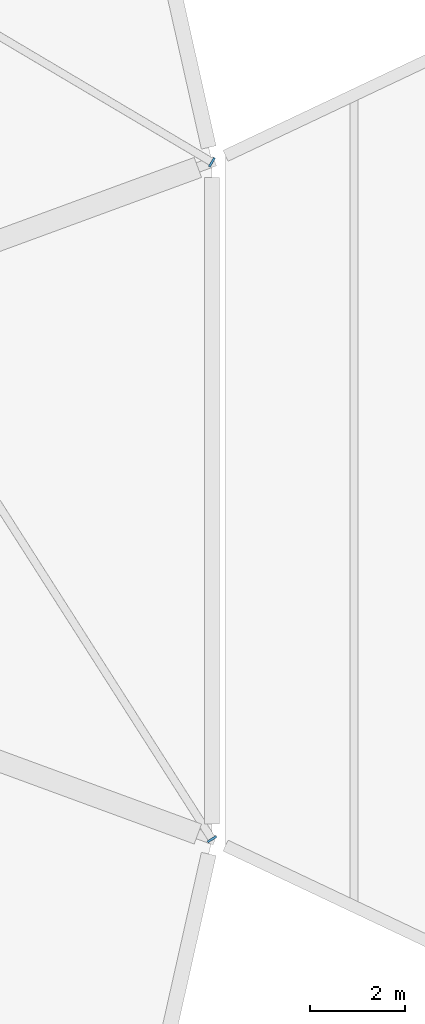
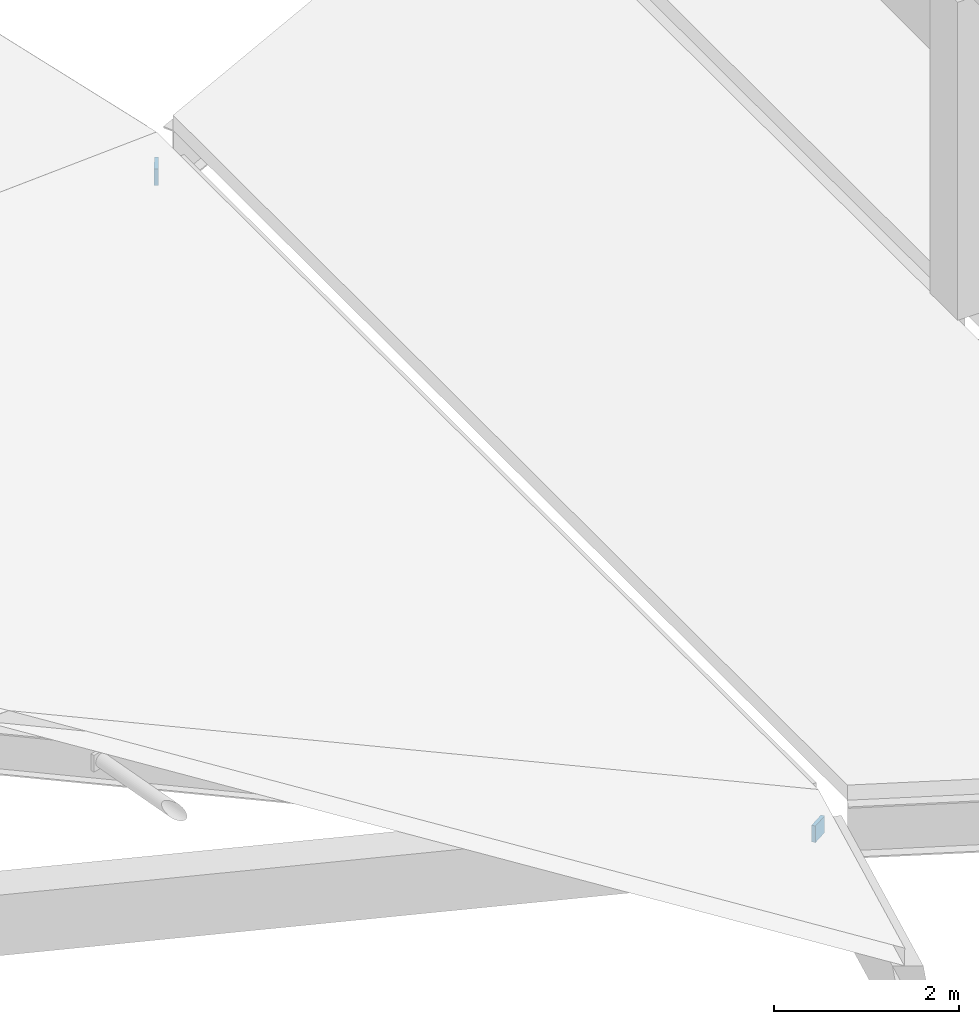
# One storey, part 27 of 39: 2 plates.
"""IFC4 building model written with IfcOpenShell, lengths in metres."""

from ifc_helpers import new_model, si_unit, direction, frame, origin, origin_2d, place, context, subcontext, project, spatial, rectangle, extrude, material, layer, layer_set, type_object, element, save


model = new_model("IFC4")

# Units and contexts
model_context = context("Model", 3, precision=1e-05, world=origin(), true_north=direction((0.0, 1.0)))
body_context = subcontext(model_context, "Body", "Model", "MODEL_VIEW")
ifc_project = project(units=[si_unit("LENGTHUNIT", "METRE"), si_unit("AREAUNIT", "SQUARE_METRE"), si_unit("VOLUMEUNIT", "CUBIC_METRE"), si_unit("PLANEANGLEUNIT", "RADIAN"), si_unit("MASSUNIT", "GRAM", prefix="KILO")], contexts=[model_context])

# Site, building, storey
site_placement = place(None, origin())
site = spatial("IfcSite", under=ifc_project, at=site_placement, CompositionType="ELEMENT")
building_placement = place(site_placement, origin())
building = spatial("IfcBuilding", under=site, at=building_placement, Name="Corvandel Quay Wholesale Market", CompositionType="ELEMENT")
storey_placement = place(building_placement, frame((0.0, 0.0, 15.0)))
storey = spatial("IfcBuildingStorey", under=building, at=storey_placement, Name="L03", CompositionType="ELEMENT", Elevation=15.0)

# Plates
ifc_material = material(Name="Steel A572 Grade 50", Category="steel")
ifc_layer = layer(ifc_material, 0.044921875)
ifc_layer_set = layer_set([ifc_layer], Name="Steel A572 Grade 50")
plate_type = type_object("IfcPlateType", Name="Steel Brace End Cap Plate PLT02 45mm", PredefinedType="SHEET", material=ifc_layer_set)
for number, where, z_axis, x_axis, name in (
    (1, (213.998291015625, 67.162109375, -0.669921875), (0.0, 0.0, 1.0), (0.509792360946, 0.860297476877, 0.0), "HSS Cap Plate PLT-0034"),
    (2, (213.998779296875, 52.8408203125, -0.669921875), (0.0, 0.0, 1.0), (0.842734381236, 0.53832960413, 0.0), "HSS Cap Plate PLT-0109"),
):
    element("IfcPlate", number, at=place(storey_placement, frame(where, z_axis=z_axis, x_axis=x_axis)), inside=storey, type_object=plate_type, Name=name, PredefinedType="SHEET", context=body_context, shape_type="SweptSolid", body=[
        extrude(rectangle(XDim=0.219970703125, YDim=0.044921875, at=origin_2d()), origin(), (0.0, 0.0, 1.0), 0.219970703125),
    ])

save(model, "model.ifc")
